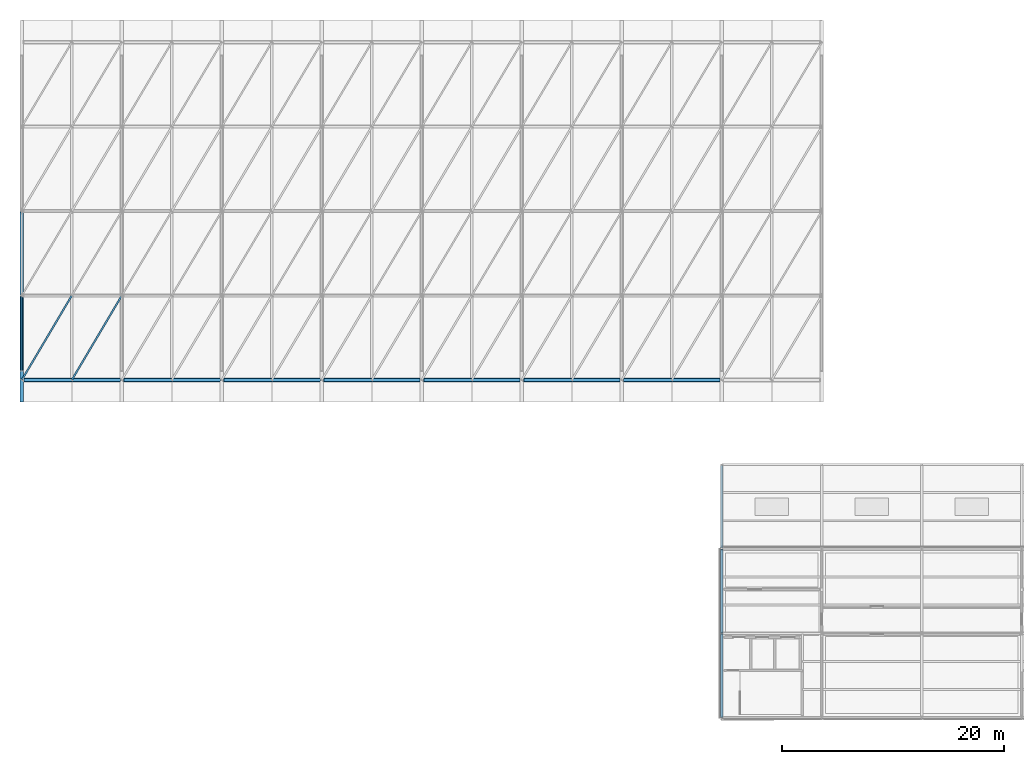
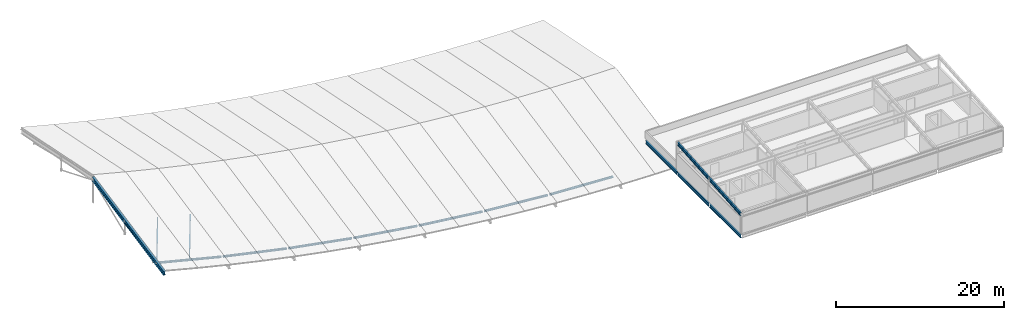
# One storey, part 3 of 21: 13 beams, 3 members.
"""IFC4 building model written with IfcOpenShell, lengths in metres."""

from ifc_helpers import new_model, si_unit, direction, frame, origin, origin_2d, place, context, subcontext, project, spatial, hollow_rectangle, hollow_circle, i_section, extrude, material, material_profile, profile_set, type_object, element, save


model = new_model("IFC4")

# Units and contexts
model_context = context("Model", 3, precision=1e-05, world=origin(), true_north=direction((0.0, 1.0)))
body_context = subcontext(model_context, "Body", "Model", "MODEL_VIEW")
ifc_project = project(units=[si_unit("LENGTHUNIT", "METRE"), si_unit("AREAUNIT", "SQUARE_METRE"), si_unit("VOLUMEUNIT", "CUBIC_METRE"), si_unit("PLANEANGLEUNIT", "RADIAN"), si_unit("MASSUNIT", "GRAM", prefix="KILO")], contexts=[model_context])

# Site, building, storey
site_placement = place(None, origin())
site = spatial("IfcSite", under=ifc_project, at=site_placement, CompositionType="ELEMENT")
building_placement = place(site_placement, origin())
building = spatial("IfcBuilding", under=site, at=building_placement, Name="Caisbarro Railhouse Central Library", CompositionType="ELEMENT")
storey_placement = place(building_placement, frame((0.0, 0.0, 26.639892578125)))
storey = spatial("IfcBuildingStorey", under=building, at=storey_placement, Name="RF", CompositionType="ELEMENT", Elevation=26.639892578125)

# Beams
ifc_material = material(Name="Steel ASTM A572 Grade 50", Category="steel")
ifc_material_profile_1 = material_profile(ifc_material, i_section(OverallWidth=0.324951171875, OverallDepth=0.615966796875, WebThickness=0.013916015625, FlangeThickness=0.021484375, FilletRadius=0.02197265625, at=origin_2d()), Name="W610X174.0")
ifc_profile_set_1 = profile_set([ifc_material_profile_1], Name="Steel ASTM A572 Grade 50")
beam_type_1 = type_object("IfcBeamType", Name="BM-G02", PredefinedType="BEAM", material=ifc_profile_set_1)
beam_1_placement = place(storey_placement, frame((0.0, 28.5, -1.097412109375), z_axis=(0.0, 0.979829500955, 0.199835304833), x_axis=(-1.0, 0.0, 0.0)))
element("IfcBeam", 1, at=beam_1_placement, inside=storey, type_object=beam_type_1, Name="V1 Gridshell South Rafter X=0", PredefinedType="BEAM", context=body_context, shape_type="SweptSolid", body=[
    extrude(i_section(OverallWidth=0.324951171875, OverallDepth=0.615966796875, WebThickness=0.013916015625, FlangeThickness=0.021484375, FilletRadius=0.02197265625, at=origin_2d()), origin(), (0.0, 0.0, 1.0), 17.4521484375),
])
ifc_material_profile_2 = material_profile(ifc_material, i_section(OverallWidth=0.194091796875, OverallDepth=0.468994140625, WebThickness=0.0126953125, FlangeThickness=0.0205078125, FilletRadius=0.01806640625, at=origin_2d()), Name="W460X106.0")
ifc_profile_set_2 = profile_set([ifc_material_profile_2], Name="Steel ASTM A572 Grade 50")
beam_type_2 = type_object("IfcBeamType", Name="BM-G07", PredefinedType="BEAM", material=ifc_profile_set_2)
beam_2_placement = place(storey_placement, frame((63.0, 0.080078125, -0.514404296875), z_axis=(0.0, 1.0, 0.0), x_axis=(-1.0, 0.0, 0.0)))
element("IfcBeam", 2, at=beam_2_placement, inside=storey, type_object=beam_type_2, Name="G07 beam RF #2450", PredefinedType="BEAM", context=body_context, shape_type="SweptSolid", body=[
    extrude(i_section(OverallWidth=0.194091796875, OverallDepth=0.468994140625, WebThickness=0.0126953125, FlangeThickness=0.0205078125, FilletRadius=0.01806640625, at=origin_2d()), origin(), (0.0, 0.0, 1.0), 7.43994140625),
])
beam_3_placement = place(storey_placement, frame((63.0, 7.679931640625, -0.514404296875), z_axis=(0.0, 1.0, 0.0), x_axis=(-1.0, 0.0, 0.0)))
element("IfcBeam", 3, at=beam_3_placement, inside=storey, type_object=beam_type_2, Name="G07 beam RF #2451", PredefinedType="BEAM", context=body_context, shape_type="SweptSolid", body=[
    extrude(i_section(OverallWidth=0.194091796875, OverallDepth=0.468994140625, WebThickness=0.0126953125, FlangeThickness=0.0205078125, FilletRadius=0.01806640625, at=origin_2d()), origin(), (0.0, 0.0, 1.0), 7.440185546875),
])
beam_4_placement = place(storey_placement, frame((63.0, 15.280029296875, -0.514404296875), z_axis=(0.0, 1.0, 0.0), x_axis=(-1.0, 0.0, 0.0)))
element("IfcBeam", 4, at=beam_4_placement, inside=storey, type_object=beam_type_2, Name="G07 beam RF #2452", PredefinedType="BEAM", context=body_context, shape_type="SweptSolid", body=[
    extrude(i_section(OverallWidth=0.194091796875, OverallDepth=0.468994140625, WebThickness=0.0126953125, FlangeThickness=0.0205078125, FilletRadius=0.01806640625, at=origin_2d()), origin(), (0.0, 0.0, 1.0), 7.43994140625),
])
for number, where, z_axis, x_axis, name in (
    (5, (63.0, 0.050048828125, 2.70556640625), (0.0, 0.996814246708, 0.079758119089), (-1.0, 0.0, 0.0), "G07 headhouse sloped roof rafter X=63.1"),
    (6, (63.0, 7.64990234375, 3.3056640625), (0.0, 0.99681682597, 0.079725876999), (-1.0, 0.0, 0.0), "G07 headhouse sloped roof rafter X=63.2"),
):
    element("IfcBeam", number, at=place(storey_placement, frame(where, z_axis=z_axis, x_axis=x_axis)), inside=storey, type_object=beam_type_2, Name=name, PredefinedType="BEAM", context=body_context, shape_type="SweptSolid", body=[
        extrude(i_section(OverallWidth=0.194091796875, OverallDepth=0.468994140625, WebThickness=0.0126953125, FlangeThickness=0.0205078125, FilletRadius=0.01806640625, at=origin_2d()), origin(), (0.0, 0.0, 1.0), 7.52392578125),
    ])
ifc_material_profile_3 = material_profile(ifc_material, hollow_circle(Radius=0.161865234375, WallThickness=0.01611328125, at=origin_2d()), Name="CHS323.9X16.0")
ifc_profile_set_3 = profile_set([ifc_material_profile_3], Name="Steel ASTM A572 Grade 50")
beam_type_3 = type_object("IfcBeamType", Name="BM-RB01", PredefinedType="BEAM", material=ifc_profile_set_3)
beam_5_placement = place(storey_placement, frame((0.1650390625, 30.39990234375, -0.751220703125), z_axis=(0.970142500145, 0.0, -0.242535625036), x_axis=(0.0, 1.0, 0.0)))
element("IfcBeam", 7, at=beam_5_placement, inside=storey, type_object=beam_type_3, Name="V1 Gridshell Longitudinal Chord S01", PredefinedType="BEAM", context=body_context, shape_type="SweptSolid", body=[
    extrude(hollow_circle(Radius=0.161865234375, WallThickness=0.01611328125, at=origin_2d()), origin(), (0.0, 0.0, 1.0), 8.936767578125),
])
beam_6_placement = place(storey_placement, frame((9.1650390625, 30.39990234375, -2.99560546875), z_axis=(0.977324658803, 0.0, -0.211746337149), x_axis=(0.0, 1.0, 0.0)))
element("IfcBeam", 8, at=beam_6_placement, inside=storey, type_object=beam_type_3, Name="V1 Gridshell Longitudinal Chord S02", PredefinedType="BEAM", context=body_context, shape_type="SweptSolid", body=[
    extrude(hollow_circle(Radius=0.161865234375, WallThickness=0.01611328125, at=origin_2d()), origin(), (0.0, 0.0, 1.0), 8.87109375),
])
beam_7_placement = place(storey_placement, frame((18.1650390625, 30.39990234375, -4.940185546875), z_axis=(0.983604264655, 0.0, -0.18034037416), x_axis=(0.0, 1.0, 0.0)))
element("IfcBeam", 9, at=beam_7_placement, inside=storey, type_object=beam_type_3, Name="V1 Gridshell Longitudinal Chord S03", PredefinedType="BEAM", context=body_context, shape_type="SweptSolid", body=[
    extrude(hollow_circle(Radius=0.161865234375, WallThickness=0.01611328125, at=origin_2d()), origin(), (0.0, 0.0, 1.0), 8.814453125),
])
beam_8_placement = place(storey_placement, frame((27.1650390625, 30.39990234375, -6.584716796875), z_axis=(0.988939620858, 0.0, -0.148318664696), x_axis=(0.0, 1.0, 0.0)))
element("IfcBeam", 10, at=beam_8_placement, inside=storey, type_object=beam_type_3, Name="V1 Gridshell Longitudinal Chord S04", PredefinedType="BEAM", context=body_context, shape_type="SweptSolid", body=[
    extrude(hollow_circle(Radius=0.161865234375, WallThickness=0.01611328125, at=origin_2d()), origin(), (0.0, 0.0, 1.0), 8.766845703125),
])
beam_9_placement = place(storey_placement, frame((36.1650390625, 30.39990234375, -7.92919921875), z_axis=(0.993263353707, 0.0, -0.115878859946), x_axis=(0.0, 1.0, 0.0)))
element("IfcBeam", 11, at=beam_9_placement, inside=storey, type_object=beam_type_3, Name="V1 Gridshell Longitudinal Chord S05", PredefinedType="BEAM", context=body_context, shape_type="SweptSolid", body=[
    extrude(hollow_circle(Radius=0.161865234375, WallThickness=0.01611328125, at=origin_2d()), origin(), (0.0, 0.0, 1.0), 8.728759765625),
])
beam_10_placement = place(storey_placement, frame((45.1650390625, 30.39990234375, -8.9736328125), z_axis=(0.996546532333, 0.0, -0.083036190279), x_axis=(0.0, 1.0, 0.0)))
element("IfcBeam", 12, at=beam_10_placement, inside=storey, type_object=beam_type_3, Name="V1 Gridshell Longitudinal Chord S06", PredefinedType="BEAM", context=body_context, shape_type="SweptSolid", body=[
    extrude(hollow_circle(Radius=0.161865234375, WallThickness=0.01611328125, at=origin_2d()), origin(), (0.0, 0.0, 1.0), 8.699951171875),
])
beam_11_placement = place(storey_placement, frame((54.1650390625, 30.39990234375, -9.71826171875), z_axis=(0.998753180363, 0.0, -0.049920784387), x_axis=(0.0, 1.0, 0.0)))
element("IfcBeam", 13, at=beam_11_placement, inside=storey, type_object=beam_type_3, Name="V1 Gridshell Longitudinal Chord S07", PredefinedType="BEAM", context=body_context, shape_type="SweptSolid", body=[
    extrude(hollow_circle(Radius=0.161865234375, WallThickness=0.01611328125, at=origin_2d()), origin(), (0.0, 0.0, 1.0), 8.6806640625),
])

# Members
ifc_material_profile_4 = material_profile(ifc_material, hollow_rectangle(XDim=0.14990234375, YDim=0.14990234375, WallThickness=0.010009765625, at=origin_2d()), Name="HSS150X150X10")
ifc_profile_set_4 = profile_set([ifc_material_profile_4], Name="Steel ASTM A572 Grade 50")
member_type_1 = type_object("IfcMemberType", Name="MEM-GS01", PredefinedType="STRUT", material=ifc_profile_set_4)
member_1_placement = place(storey_placement, frame((0.0, 30.39990234375, -0.7099609375), z_axis=(0.5089976597, 0.859651537894, 0.043824831052), x_axis=(-0.860478259115, 0.509487159397, 0.0)))
element("IfcMember", 14, at=member_1_placement, inside=storey, type_object=member_type_1, Name="V1 Gridshell Diagonal Strut 1", PredefinedType="STRUT", context=body_context, shape_type="SweptSolid", body=[
    extrude(hollow_rectangle(XDim=0.14990234375, YDim=0.14990234375, WallThickness=0.010009765625, at=origin_2d()), origin(), (0.0, 0.0, 1.0), 8.8408203125),
])
member_2_placement = place(storey_placement, frame((4.5, 30.39990234375, -1.872314453125), z_axis=(0.508790383475, 0.859301466883, 0.05228130351), x_axis=(-0.860478259115, 0.509487159397, 0.0)))
element("IfcMember", 15, at=member_2_placement, inside=storey, type_object=member_type_1, Name="V1 Gridshell Diagonal Strut 5", PredefinedType="STRUT", context=body_context, shape_type="SweptSolid", body=[
    extrude(hollow_rectangle(XDim=0.14990234375, YDim=0.14990234375, WallThickness=0.010009765625, at=origin_2d()), origin(), (0.0, 0.0, 1.0), 8.844482421875),
])
ifc_material_profile_5 = material_profile(ifc_material, hollow_rectangle(XDim=0.1201171875, YDim=0.1201171875, WallThickness=0.008056640625, at=origin_2d()), Name="HSS120X120X8")
ifc_profile_set_5 = profile_set([ifc_material_profile_5], Name="Steel ASTM A572 Grade 50")
member_type_2 = type_object("IfcMemberType", Name="MEM-GS02", PredefinedType="STRUT", material=ifc_profile_set_5)
member_3_placement = place(storey_placement, frame((0.0, 31.199951171875, -1.0078125), z_axis=(0.0, 0.974526058673, 0.224274298499), x_axis=(-1.0, 0.0, 0.0)))
element("IfcMember", 16, at=member_3_placement, inside=storey, type_object=member_type_2, Name="V1 Gridshell Truss Web DS1 1", PredefinedType="STRUT", context=body_context, shape_type="SweptSolid", body=[
    extrude(hollow_rectangle(XDim=0.1201171875, YDim=0.1201171875, WallThickness=0.008056640625, at=origin_2d()), origin(), (0.0, 0.0, 1.0), 6.977783203125),
])

save(model, "model.ifc")
